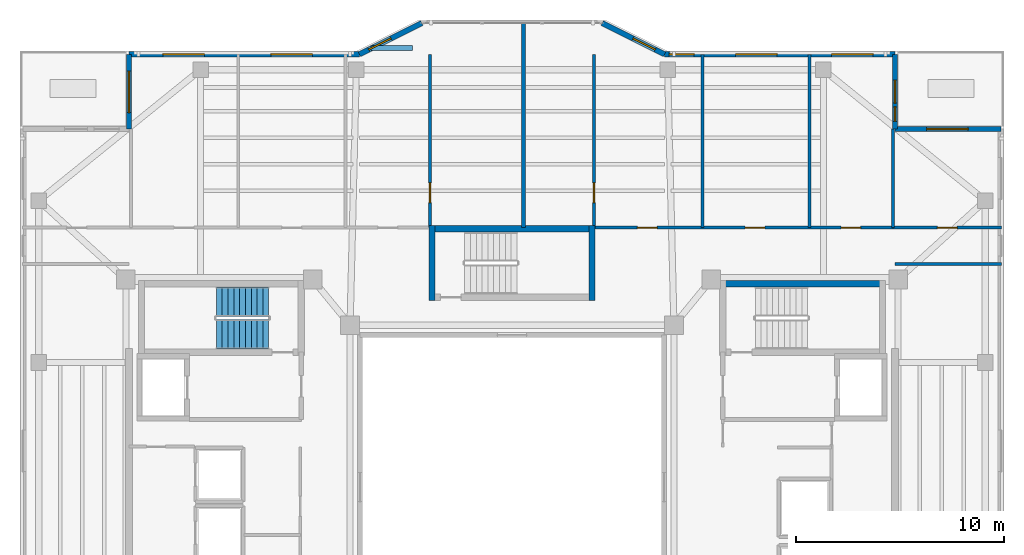
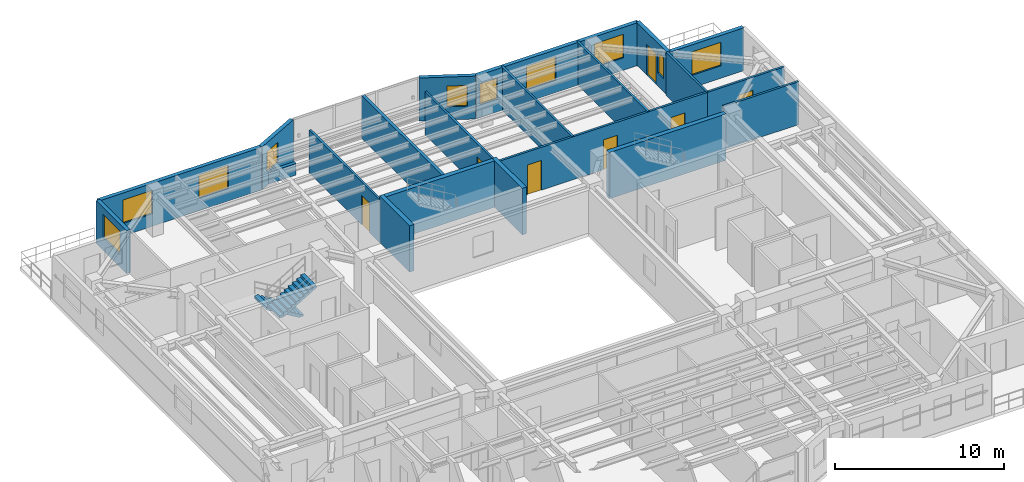
# One storey, part 10 of 15: 21 walls, 10 windows, 7 doors, 2 stair flights, 17 openings, 1 element without a shape of its own.
"""IFC4 building model written with IfcOpenShell, lengths in metres."""

from ifc_helpers import new_model, si_unit, direction, frame, frame_2d, origin, place, context, subcontext, project, spatial, polyline, rectangle, outline, extrude, material, layer, layer_set, type_object, element, fill, aggregate, save


model = new_model("IFC4")

# Units and contexts
model_context = context("Model", 3, precision=1e-05, world=origin(), true_north=direction((0.0, 1.0)))
body_context = subcontext(model_context, "Body", "Model", "MODEL_VIEW")
ifc_project = project(units=[si_unit("LENGTHUNIT", "METRE"), si_unit("AREAUNIT", "SQUARE_METRE"), si_unit("VOLUMEUNIT", "CUBIC_METRE"), si_unit("PLANEANGLEUNIT", "RADIAN"), si_unit("MASSUNIT", "GRAM", prefix="KILO")], contexts=[model_context])

# Site, building, storey
site_placement = place(None, origin())
site = spatial("IfcSite", under=ifc_project, at=site_placement, CompositionType="ELEMENT")
building_placement = place(site_placement, origin())
building = spatial("IfcBuilding", under=site, at=building_placement, Name="Tarnavaz Court Tower", CompositionType="ELEMENT")
storey_placement = place(building_placement, frame((0.0, 0.0, 186.89990234375)))
storey = spatial("IfcBuildingStorey", under=building, at=storey_placement, Name="L50", CompositionType="ELEMENT", Elevation=186.89990234375)

# Walls
ifc_material_1 = material(Name="Concrete C50/60", Category="concrete")
ifc_layer_1 = layer(ifc_material_1, 0.300048828125)
ifc_layer_set_1 = layer_set([ifc_layer_1], Name="Concrete C50/60")
wall_type_1 = type_object("IfcWallType", Name="WL-CORE-300-C50", PredefinedType="SHEAR", material=ifc_layer_set_1)
for number, where, z_axis, x_axis, name in (
    (1, (10.0, 9.7900390625, 0.0), (0.0, 0.0, 1.0), (1.0, 0.0, 0.0), "L50 East Stair Core Wall 005"),
    (2, (-4.0, 12.43994140625, 0.0), (0.0, 0.0, 1.0), (1.0, 0.0, 0.0), "L50 North Stair Core Wall 009"),
):
    element("IfcWall", number, at=place(storey_placement, frame(where, z_axis=z_axis, x_axis=x_axis)), inside=storey, type_object=wall_type_1, Name=name, PredefinedType="SHEAR", context=body_context, shape_type="SweptSolid", body=[
        extrude(rectangle(XDim=8.0, YDim=0.300048828125, at=frame_2d((4.0, 0.0))), origin(), (0.0, 0.0, 1.0), 3.35009765625),
    ])
for number, where, z_axis, x_axis, name in (
    (3, (-3.85009765625, 9.0, 0.0), (0.0, 0.0, 1.0), (0.0, 1.0, 0.0), "L50 North Stair Core Wall 011"),
    (4, (3.85009765625, 9.0, 0.0), (0.0, 0.0, 1.0), (0.0, 1.0, 0.0), "L50 North Stair Core Wall 012"),
):
    element("IfcWall", number, at=place(storey_placement, frame(where, z_axis=z_axis, x_axis=x_axis)), inside=storey, type_object=wall_type_1, Name=name, PredefinedType="SHEAR", context=body_context, shape_type="SweptSolid", body=[
        extrude(rectangle(XDim=3.590087890625, YDim=0.300048828125, at=frame_2d((1.794921875, 0.0))), origin(), (0.0, 0.0, 1.0), 3.35009765625),
    ])

# Wall, opening, window
ifc_material_2 = material(Name="Precast Concrete C40/50", Category="concrete")
ifc_layer_2 = layer(ifc_material_2, 0.260009765625)
ifc_layer_set_2 = layer_set([ifc_layer_2], Name="Precast Concrete C40/50")
wall_type_2 = type_object("IfcWallType", Name="WL-EXT-260", PredefinedType="SOLIDWALL", material=ifc_layer_set_2)
wall_1_placement = place(storey_placement, frame((-18.449951171875, 17.25, 0.0), z_axis=(0.0, 0.0, 1.0), x_axis=(0.0, 1.0, 0.0)))
wall_1 = element("IfcWall", 5, at=wall_1_placement, inside=storey, type_object=wall_type_2, Name="L50 Exterior Terracotta Facade Wall 04", PredefinedType="SOLIDWALL", context=body_context, shape_type="SweptSolid", body=[
    extrude(rectangle(XDim=3.60009765625, YDim=0.260009765625, at=frame_2d((1.800048828125, 0.0))), origin(), (0.0, 0.0, 1.0), 3.10009765625),
])
opening_1_placement = place(wall_1_placement, frame((0.782470703125, 0.0, 0.89990234375)))
opening_1 = element("IfcOpeningElement", 6, at=opening_1_placement, cuts=wall_1, Name="Opening W08", PredefinedType="OPENING", context=body_context, shape_type="SweptSolid", body=[
    extrude(rectangle(XDim=2.0, YDim=1.699951171875, at=frame_2d((1.0, 0.85009765625))), frame((0.0, 0.139892578125, 0.0), z_axis=(0.0, -1.0, 0.0), x_axis=(1.0, 0.0, 0.0)), (0.0, 0.0, 1.0), 0.280029296875),
])
ifc_material_3 = material(Name="Double-Glazed Solar Low-E Glass", Category="glass")
window_type_1 = type_object("IfcWindowType", Name="WN-APT-2000", PartitioningType="DOUBLE_PANEL_VERTICAL", PredefinedType="WINDOW", material=ifc_material_3)
window_1_placement = place(opening_1_placement, origin())
window_1 = element("IfcWindow", 7, at=window_1_placement, inside=storey, type_object=window_type_1, Name="L50 Resident Fitness and Yoga Studio Window", OverallHeight=1.699951171875, OverallWidth=2.0, PartitioningType="SINGLE_PANEL", PredefinedType="WINDOW", context=body_context, shape_type="SweptSolid", body=[
    extrude(rectangle(XDim=2.0, YDim=1.699951171875, at=frame_2d((1.0, 0.85009765625))), frame((0.0, 0.030029296875, 0.0), z_axis=(0.0, -1.0, 0.0), x_axis=(1.0, 0.0, 0.0)), (0.0, 0.0, 1.0), 0.06005859375),
])
fill(opening_1, window_1)

# Wall, openings, windows
wall_2_placement = place(storey_placement, frame((-18.449951171875, 20.85009765625, 0.0), z_axis=(0.0, 0.0, 1.0), x_axis=(1.0, 0.0, 0.0)))
wall_2 = element("IfcWall", 8, at=wall_2_placement, inside=storey, type_object=wall_type_2, Name="L50 Exterior Terracotta Facade Wall 05", PredefinedType="SOLIDWALL", context=body_context, shape_type="SweptSolid", body=[
    extrude(rectangle(XDim=11.099853515625, YDim=0.260009765625, at=frame_2d((5.5498046875, 0.0))), origin(), (0.0, 0.0, 1.0), 3.10009765625),
])
opening_2_placement = place(wall_2_placement, frame((1.636962890625, 0.0, 0.89990234375)))
opening_2 = element("IfcOpeningElement", 9, at=opening_2_placement, cuts=wall_2, Name="Opening W08", PredefinedType="OPENING", context=body_context, shape_type="SweptSolid", body=[
    extrude(rectangle(XDim=2.0, YDim=1.699951171875, at=frame_2d((1.0, 0.85009765625))), frame((0.0, 0.139892578125, 0.0), z_axis=(0.0, -1.0, 0.0), x_axis=(1.0, 0.0, 0.0)), (0.0, 0.0, 1.0), 0.280029296875),
])
opening_3_placement = place(wall_2_placement, frame((6.835205078125, 0.0, 0.89990234375)))
opening_3 = element("IfcOpeningElement", 10, at=opening_3_placement, cuts=wall_2, Name="Opening W08", PredefinedType="OPENING", context=body_context, shape_type="SweptSolid", body=[
    extrude(rectangle(XDim=2.0, YDim=1.699951171875, at=frame_2d((1.0, 0.85009765625))), frame((0.0, 0.139892578125, 0.0), z_axis=(0.0, -1.0, 0.0), x_axis=(1.0, 0.0, 0.0)), (0.0, 0.0, 1.0), 0.280029296875),
])
window_2_placement = place(opening_2_placement, origin())
window_2 = element("IfcWindow", 11, at=window_2_placement, inside=storey, type_object=window_type_1, Name="L50 Resident Fitness and Yoga Studio Window", OverallHeight=1.699951171875, OverallWidth=2.0, PartitioningType="SINGLE_PANEL", PredefinedType="WINDOW", context=body_context, shape_type="SweptSolid", body=[
    extrude(rectangle(XDim=2.0, YDim=1.699951171875, at=frame_2d((1.0, 0.85009765625))), frame((0.0, 0.030029296875, 0.0), z_axis=(0.0, -1.0, 0.0), x_axis=(1.0, 0.0, 0.0)), (0.0, 0.0, 1.0), 0.06005859375),
])
fill(opening_2, window_2)
window_3_placement = place(opening_3_placement, origin())
window_3 = element("IfcWindow", 12, at=window_3_placement, inside=storey, type_object=window_type_1, Name="L50 Children Playroom and Daycare Window", OverallHeight=1.699951171875, OverallWidth=2.0, PartitioningType="SINGLE_PANEL", PredefinedType="WINDOW", context=body_context, shape_type="SweptSolid", body=[
    extrude(rectangle(XDim=2.0, YDim=1.699951171875, at=frame_2d((1.0, 0.85009765625))), frame((0.0, 0.030029296875, 0.0), z_axis=(0.0, -1.0, 0.0), x_axis=(1.0, 0.0, 0.0)), (0.0, 0.0, 1.0), 0.06005859375),
])
fill(opening_3, window_3)

# Wall, opening, window
wall_3_placement = place(storey_placement, frame((-7.35009765625, 20.85009765625, 0.0), z_axis=(0.0, 0.0, 1.0), x_axis=(0.894427191, 0.4472135955, 0.0)))
wall_3 = element("IfcWall", 13, at=wall_3_placement, inside=storey, type_object=wall_type_2, Name="L50 Exterior Terracotta Facade Wall 06", PredefinedType="SOLIDWALL", context=body_context, shape_type="SweptSolid", body=[
    extrude(rectangle(XDim=3.35400390625, YDim=0.260009765625, at=frame_2d((1.677001953125, 0.0))), origin(), (0.0, 0.0, 1.0), 3.10009765625),
])
opening_4_placement = place(wall_3_placement, frame((0.501220703125, 0.0, 0.949951171875)))
opening_4 = element("IfcOpeningElement", 14, at=opening_4_placement, cuts=wall_3, Name="Opening W05", PredefinedType="OPENING", context=body_context, shape_type="SweptSolid", body=[
    extrude(rectangle(XDim=1.199951171875, YDim=1.5, at=frame_2d((0.60009765625, 0.75))), frame((0.0, 0.139892578125, 0.0), z_axis=(0.0, -1.0, 0.0), x_axis=(1.0, 0.0, 0.0)), (0.0, 0.0, 1.0), 0.280029296875),
])
window_type_2 = type_object("IfcWindowType", Name="WN-APT-1200", PartitioningType="SINGLE_PANEL", PredefinedType="WINDOW", material=ifc_material_3)
window_4_placement = place(opening_4_placement, origin())
window_4 = element("IfcWindow", 15, at=window_4_placement, inside=storey, type_object=window_type_2, Name="L50 Shared Community Tea Pantry Window", OverallHeight=1.5, OverallWidth=1.199951171875, PartitioningType="SINGLE_PANEL", PredefinedType="WINDOW", context=body_context, shape_type="SweptSolid", body=[
    extrude(rectangle(XDim=1.199951171875, YDim=1.5, at=frame_2d((0.60009765625, 0.75))), frame((0.0, 0.030029296875, 0.0), z_axis=(0.0, -1.0, 0.0), x_axis=(1.0, 0.0, 0.0)), (0.0, 0.0, 1.0), 0.06005859375),
])
fill(opening_4, window_4)

wall_4_placement = place(storey_placement, frame((4.35009765625, 22.35009765625, 0.0), z_axis=(0.0, 0.0, 1.0), x_axis=(0.894427191, -0.4472135955, 0.0)))
wall_4 = element("IfcWall", 16, at=wall_4_placement, inside=storey, type_object=wall_type_2, Name="L50 Exterior Terracotta Facade Wall 08", PredefinedType="SOLIDWALL", context=body_context, shape_type="SweptSolid", body=[
    extrude(rectangle(XDim=3.35400390625, YDim=0.260009765625, at=frame_2d((1.677001953125, 0.0))), origin(), (0.0, 0.0, 1.0), 3.10009765625),
])
opening_5_placement = place(wall_4_placement, frame((1.65283203125, 0.0, 0.949951171875)))
opening_5 = element("IfcOpeningElement", 17, at=opening_5_placement, cuts=wall_4, Name="Opening W05", PredefinedType="OPENING", context=body_context, shape_type="SweptSolid", body=[
    extrude(rectangle(XDim=1.199951171875, YDim=1.5, at=frame_2d((0.60009765625, 0.75))), frame((0.0, 0.139892578125, 0.0), z_axis=(0.0, -1.0, 0.0), x_axis=(1.0, 0.0, 0.0)), (0.0, 0.0, 1.0), 0.280029296875),
])
window_5_placement = place(opening_5_placement, origin())
window_5 = element("IfcWindow", 18, at=window_5_placement, inside=storey, type_object=window_type_2, Name="L50 Resident Co-Working Study Room Window", OverallHeight=1.5, OverallWidth=1.199951171875, PartitioningType="SINGLE_PANEL", PredefinedType="WINDOW", context=body_context, shape_type="SweptSolid", body=[
    extrude(rectangle(XDim=1.199951171875, YDim=1.5, at=frame_2d((0.60009765625, 0.75))), frame((0.0, 0.030029296875, 0.0), z_axis=(0.0, -1.0, 0.0), x_axis=(1.0, 0.0, 0.0)), (0.0, 0.0, 1.0), 0.06005859375),
])
fill(opening_5, window_5)

# Wall, openings, windows
wall_5_placement = place(storey_placement, frame((7.35009765625, 20.85009765625, 0.0), z_axis=(0.0, 0.0, 1.0), x_axis=(1.0, 0.0, 0.0)))
wall_5 = element("IfcWall", 19, at=wall_5_placement, inside=storey, type_object=wall_type_2, Name="L50 Exterior Terracotta Facade Wall 09", PredefinedType="SOLIDWALL", context=body_context, shape_type="SweptSolid", body=[
    extrude(rectangle(XDim=11.099853515625, YDim=0.260009765625, at=frame_2d((5.5498046875, 0.0))), origin(), (0.0, 0.0, 1.0), 3.10009765625),
])
opening_6_placement = place(wall_5_placement, frame((0.223388671875, 0.0, 0.949951171875)))
opening_6 = element("IfcOpeningElement", 20, at=opening_6_placement, cuts=wall_5, Name="Opening W05", PredefinedType="OPENING", context=body_context, shape_type="SweptSolid", body=[
    extrude(rectangle(XDim=1.199951171875, YDim=1.5, at=frame_2d((0.60009765625, 0.75))), frame((0.0, 0.139892578125, 0.0), z_axis=(0.0, -1.0, 0.0), x_axis=(1.0, 0.0, 0.0)), (0.0, 0.0, 1.0), 0.280029296875),
])
opening_7_placement = place(wall_5_placement, frame((3.419921875, 0.0, 0.89990234375)))
opening_7 = element("IfcOpeningElement", 21, at=opening_7_placement, cuts=wall_5, Name="Opening W08", PredefinedType="OPENING", context=body_context, shape_type="SweptSolid", body=[
    extrude(rectangle(XDim=2.0, YDim=1.699951171875, at=frame_2d((1.0, 0.85009765625))), frame((0.0, 0.139892578125, 0.0), z_axis=(0.0, -1.0, 0.0), x_axis=(1.0, 0.0, 0.0)), (0.0, 0.0, 1.0), 0.280029296875),
])
opening_8_placement = place(wall_5_placement, frame((8.040771484375, 0.0, 0.89990234375)))
opening_8 = element("IfcOpeningElement", 22, at=opening_8_placement, cuts=wall_5, Name="Opening W08", PredefinedType="OPENING", context=body_context, shape_type="SweptSolid", body=[
    extrude(rectangle(XDim=2.0, YDim=1.699951171875, at=frame_2d((1.0, 0.85009765625))), frame((0.0, 0.139892578125, 0.0), z_axis=(0.0, -1.0, 0.0), x_axis=(1.0, 0.0, 0.0)), (0.0, 0.0, 1.0), 0.280029296875),
])
window_6_placement = place(opening_6_placement, origin())
window_6 = element("IfcWindow", 23, at=window_6_placement, inside=storey, type_object=window_type_2, Name="L50 Resident Co-Working Study Room Window", OverallHeight=1.5, OverallWidth=1.199951171875, PartitioningType="SINGLE_PANEL", PredefinedType="WINDOW", context=body_context, shape_type="SweptSolid", body=[
    extrude(rectangle(XDim=1.199951171875, YDim=1.5, at=frame_2d((0.60009765625, 0.75))), frame((0.0, 0.030029296875, 0.0), z_axis=(0.0, -1.0, 0.0), x_axis=(1.0, 0.0, 0.0)), (0.0, 0.0, 1.0), 0.06005859375),
])
fill(opening_6, window_6)
window_7_placement = place(opening_7_placement, origin())
window_7 = element("IfcWindow", 24, at=window_7_placement, inside=storey, type_object=window_type_1, Name="L50 Quiet Reading Library Room Window", OverallHeight=1.699951171875, OverallWidth=2.0, PartitioningType="SINGLE_PANEL", PredefinedType="WINDOW", context=body_context, shape_type="SweptSolid", body=[
    extrude(rectangle(XDim=2.0, YDim=1.699951171875, at=frame_2d((1.0, 0.85009765625))), frame((0.0, 0.030029296875, 0.0), z_axis=(0.0, -1.0, 0.0), x_axis=(1.0, 0.0, 0.0)), (0.0, 0.0, 1.0), 0.06005859375),
])
fill(opening_7, window_7)
window_8_placement = place(opening_8_placement, origin())
window_8 = element("IfcWindow", 25, at=window_8_placement, inside=storey, type_object=window_type_1, Name="L50 Resident Focus Seminar Room Window", OverallHeight=1.699951171875, OverallWidth=2.0, PartitioningType="SINGLE_PANEL", PredefinedType="WINDOW", context=body_context, shape_type="SweptSolid", body=[
    extrude(rectangle(XDim=2.0, YDim=1.699951171875, at=frame_2d((1.0, 0.85009765625))), frame((0.0, 0.030029296875, 0.0), z_axis=(0.0, -1.0, 0.0), x_axis=(1.0, 0.0, 0.0)), (0.0, 0.0, 1.0), 0.06005859375),
])
fill(opening_8, window_8)

# Wall, openings, door, window
wall_6_placement = place(storey_placement, frame((18.449951171875, 20.85009765625, 0.0), z_axis=(0.0, 0.0, 1.0), x_axis=(0.0, -1.0, 0.0)))
wall_6 = element("IfcWall", 26, at=wall_6_placement, inside=storey, type_object=wall_type_2, Name="L50 Exterior Terracotta Facade Wall 10", PredefinedType="SOLIDWALL", context=body_context, shape_type="SweptSolid", body=[
    extrude(rectangle(XDim=3.60009765625, YDim=0.260009765625, at=frame_2d((1.800048828125, 0.0))), origin(), (0.0, 0.0, 1.0), 3.10009765625),
])
opening_9_placement = place(wall_6_placement, frame((1.25, 0.0, 0.0)))
opening_9 = element("IfcOpeningElement", 27, at=opening_9_placement, cuts=wall_6, Name="Opening TD1", PredefinedType="OPENING", context=body_context, shape_type="SweptSolid", body=[
    extrude(rectangle(XDim=1.10009765625, YDim=2.199951171875, at=frame_2d((0.550048828125, 1.10009765625))), frame((0.0, 0.139892578125, 0.0), z_axis=(0.0, -1.0, 0.0), x_axis=(1.0, 0.0, 0.0)), (0.0, 0.0, 1.0), 0.280029296875),
])
opening_10_placement = place(wall_6_placement, frame((2.53759765625, 0.0, 0.949951171875)))
opening_10 = element("IfcOpeningElement", 28, at=opening_10_placement, cuts=wall_6, Name="Opening W16", PredefinedType="OPENING", context=body_context, shape_type="SweptSolid", body=[
    extrude(rectangle(XDim=0.699951171875, YDim=1.5, at=frame_2d((0.35009765625, 0.75))), frame((0.0, 0.139892578125, 0.0), z_axis=(0.0, -1.0, 0.0), x_axis=(1.0, 0.0, 0.0)), (0.0, 0.0, 1.0), 0.280029296875),
])
ifc_material_4 = material(Name="Thermally Broken Aluminium and Laminated Glass", Category="aluminium")
door_type_1 = type_object("IfcDoorType", Name="DR-TERR-1100", OperationType="NOTDEFINED", PredefinedType="DOOR", material=ifc_material_4)
door_1_placement = place(opening_9_placement, origin())
door_1 = element("IfcDoor", 29, at=door_1_placement, inside=storey, type_object=door_type_1, Name="L50 Sky Terrace Access Door 1", OperationType="SINGLE_SWING_LEFT", OverallHeight=2.199951171875, OverallWidth=1.10009765625, PredefinedType="DOOR", context=body_context, shape_type="SweptSolid", body=[
    extrude(rectangle(XDim=1.10009765625, YDim=2.199951171875, at=frame_2d((0.550048828125, 1.10009765625))), frame((0.0, 0.02490234375, 0.0), z_axis=(0.0, -1.0, 0.0), x_axis=(1.0, 0.0, 0.0)), (0.0, 0.0, 1.0), 0.050048828125),
])
fill(opening_9, door_1)
window_type_3 = type_object("IfcWindowType", Name="WN-APT-700", PartitioningType="SINGLE_PANEL", PredefinedType="WINDOW", material=ifc_material_3)
window_9_placement = place(opening_10_placement, origin())
window_9 = element("IfcWindow", 30, at=window_9_placement, inside=storey, type_object=window_type_3, Name="L50 Resident Focus Seminar Room Window", OverallHeight=1.5, OverallWidth=0.699951171875, PartitioningType="SINGLE_PANEL", PredefinedType="WINDOW", context=body_context, shape_type="SweptSolid", body=[
    extrude(rectangle(XDim=0.699951171875, YDim=1.5, at=frame_2d((0.35009765625, 0.75))), frame((0.0, 0.030029296875, 0.0), z_axis=(0.0, -1.0, 0.0), x_axis=(1.0, 0.0, 0.0)), (0.0, 0.0, 1.0), 0.06005859375),
])
fill(opening_10, window_9)

# Wall, opening, window
wall_7_placement = place(storey_placement, frame((18.449951171875, 17.25, 0.0), z_axis=(0.0, 0.0, 1.0), x_axis=(1.0, 0.0, 0.0)))
wall_7 = element("IfcWall", 31, at=wall_7_placement, inside=storey, type_object=wall_type_2, Name="L50 Exterior Terracotta Facade Wall 11", PredefinedType="SOLIDWALL", context=body_context, shape_type="SweptSolid", body=[
    extrude(rectangle(XDim=5.10009765625, YDim=0.260009765625, at=frame_2d((2.550048828125, 0.0))), origin(), (0.0, 0.0, 1.0), 3.10009765625),
])
opening_11_placement = place(wall_7_placement, frame((1.52490234375, 0.0, 0.89990234375)))
opening_11 = element("IfcOpeningElement", 32, at=opening_11_placement, cuts=wall_7, Name="Opening W08", PredefinedType="OPENING", context=body_context, shape_type="SweptSolid", body=[
    extrude(rectangle(XDim=2.0, YDim=1.699951171875, at=frame_2d((1.0, 0.85009765625))), frame((0.0, 0.139892578125, 0.0), z_axis=(0.0, -1.0, 0.0), x_axis=(1.0, 0.0, 0.0)), (0.0, 0.0, 1.0), 0.280029296875),
])
window_10_placement = place(opening_11_placement, origin())
window_10 = element("IfcWindow", 33, at=window_10_placement, inside=storey, type_object=window_type_1, Name="L50 North-East Corner Sunroom Study Window", OverallHeight=1.699951171875, OverallWidth=2.0, PartitioningType="SINGLE_PANEL", PredefinedType="WINDOW", context=body_context, shape_type="SweptSolid", body=[
    extrude(rectangle(XDim=2.0, YDim=1.699951171875, at=frame_2d((1.0, 0.85009765625))), frame((0.0, 0.030029296875, 0.0), z_axis=(0.0, -1.0, 0.0), x_axis=(1.0, 0.0, 0.0)), (0.0, 0.0, 1.0), 0.06005859375),
])
fill(opening_11, window_10)

# Wall, openings, doors
ifc_material_5 = material(Name="Gypsum Fire-Board on Acoustic Metal Stud", Category="masonry")
ifc_layer_3 = layer(ifc_material_5, 0.14990234375)
ifc_layer_set_3 = layer_set([ifc_layer_3], Name="Gypsum Fire-Board on Acoustic Metal Stud")
wall_type_3 = type_object("IfcWallType", Name="WL-FIRE-150", PredefinedType="PARTITIONING", material=ifc_layer_set_3)
wall_8_placement = place(storey_placement, frame((3.85009765625, 12.5, 0.0), z_axis=(0.0, 0.0, 1.0), x_axis=(1.0, 0.0, 0.0)))
wall_8 = element("IfcWall", 34, at=wall_8_placement, inside=storey, type_object=wall_type_3, Name="L50 NE Wing Corridor Wall 057", PredefinedType="PARTITIONING", context=body_context, shape_type="SweptSolid", body=[
    extrude(rectangle(XDim=14.5, YDim=0.14990234375, at=frame_2d((7.25, 0.0))), origin(), (0.0, 0.0, 1.0), 3.10009765625),
])
opening_12_placement = place(wall_8_placement, frame((2.18603515625, 0.0, 0.0)))
opening_12 = element("IfcOpeningElement", 35, at=opening_12_placement, cuts=wall_8, Name="Opening D13", PredefinedType="OPENING", context=body_context, shape_type="SweptSolid", body=[
    extrude(rectangle(XDim=0.949951171875, YDim=2.14990234375, at=frame_2d((0.47509765625, 1.074951171875))), frame((0.0, 0.0849609375, 0.0), z_axis=(0.0, -1.0, 0.0), x_axis=(1.0, 0.0, 0.0)), (0.0, 0.0, 1.0), 0.169921875),
])
opening_13_placement = place(wall_8_placement, frame((7.37890625, 0.0, 0.0)))
opening_13 = element("IfcOpeningElement", 36, at=opening_13_placement, cuts=wall_8, Name="Opening D13", PredefinedType="OPENING", context=body_context, shape_type="SweptSolid", body=[
    extrude(rectangle(XDim=0.949951171875, YDim=2.14990234375, at=frame_2d((0.47509765625, 1.074951171875))), frame((0.0, 0.0849609375, 0.0), z_axis=(0.0, -1.0, 0.0), x_axis=(1.0, 0.0, 0.0)), (0.0, 0.0, 1.0), 0.169921875),
])
opening_14_placement = place(wall_8_placement, frame((11.998046875, 0.0, 0.0)))
opening_14 = element("IfcOpeningElement", 37, at=opening_14_placement, cuts=wall_8, Name="Opening D13", PredefinedType="OPENING", context=body_context, shape_type="SweptSolid", body=[
    extrude(rectangle(XDim=0.949951171875, YDim=2.14990234375, at=frame_2d((0.47509765625, 1.074951171875))), frame((0.0, 0.0849609375, 0.0), z_axis=(0.0, -1.0, 0.0), x_axis=(1.0, 0.0, 0.0)), (0.0, 0.0, 1.0), 0.169921875),
])
ifc_material_6 = material(Name="Engineered Oak Timber", Category="wood")
door_type_2 = type_object("IfcDoorType", Name="DR-INT-950", OperationType="NOTDEFINED", PredefinedType="DOOR", material=ifc_material_6)
door_2_placement = place(opening_12_placement, origin())
door_2 = element("IfcDoor", 38, at=door_2_placement, inside=storey, type_object=door_type_2, Name="L50 Resident Co-Working Study Room Door", OperationType="SINGLE_SWING_RIGHT", OverallHeight=2.14990234375, OverallWidth=0.949951171875, PredefinedType="DOOR", context=body_context, shape_type="SweptSolid", body=[
    extrude(rectangle(XDim=0.949951171875, YDim=2.14990234375, at=frame_2d((0.47509765625, 1.074951171875))), frame((0.0, 0.02490234375, 0.0), z_axis=(0.0, -1.0, 0.0), x_axis=(1.0, 0.0, 0.0)), (0.0, 0.0, 1.0), 0.050048828125),
])
fill(opening_12, door_2)
door_3_placement = place(opening_13_placement, origin())
door_3 = element("IfcDoor", 39, at=door_3_placement, inside=storey, type_object=door_type_2, Name="L50 Quiet Reading Library Room Door", OperationType="SINGLE_SWING_LEFT", OverallHeight=2.14990234375, OverallWidth=0.949951171875, PredefinedType="DOOR", context=body_context, shape_type="SweptSolid", body=[
    extrude(rectangle(XDim=0.949951171875, YDim=2.14990234375, at=frame_2d((0.47509765625, 1.074951171875))), frame((0.0, 0.02490234375, 0.0), z_axis=(0.0, -1.0, 0.0), x_axis=(1.0, 0.0, 0.0)), (0.0, 0.0, 1.0), 0.050048828125),
])
fill(opening_13, door_3)
door_4_placement = place(opening_14_placement, origin())
door_4 = element("IfcDoor", 40, at=door_4_placement, inside=storey, type_object=door_type_2, Name="L50 Resident Focus Seminar Room Door", OperationType="SINGLE_SWING_RIGHT", OverallHeight=2.14990234375, OverallWidth=0.949951171875, PredefinedType="DOOR", context=body_context, shape_type="SweptSolid", body=[
    extrude(rectangle(XDim=0.949951171875, YDim=2.14990234375, at=frame_2d((0.47509765625, 1.074951171875))), frame((0.0, 0.02490234375, 0.0), z_axis=(0.0, -1.0, 0.0), x_axis=(1.0, 0.0, 0.0)), (0.0, 0.0, 1.0), 0.050048828125),
])
fill(opening_14, door_4)

# Wall
wall_9_placement = place(storey_placement, frame((18.449951171875, 10.75, 0.0), z_axis=(0.0, 0.0, 1.0), x_axis=(1.0, 0.0, 0.0)))
element("IfcWall", 41, at=wall_9_placement, inside=storey, type_object=wall_type_3, Name="L50 Interior Partition 094", PredefinedType="PARTITIONING", context=body_context, shape_type="SweptSolid", body=[
    extrude(rectangle(XDim=5.130126953125, YDim=0.14990234375, at=frame_2d((2.56494140625, 0.0))), origin(), (0.0, 0.0, 1.0), 3.10009765625),
])

# Wall, opening, door
wall_10_placement = place(storey_placement, frame((18.35009765625, 12.5, 0.0), z_axis=(0.0, 0.0, 1.0), x_axis=(1.0, 0.0, 0.0)))
wall_10 = element("IfcWall", 42, at=wall_10_placement, inside=storey, type_object=wall_type_3, Name="L50 Interior Partition 100", PredefinedType="PARTITIONING", context=body_context, shape_type="SweptSolid", body=[
    extrude(rectangle(XDim=5.22998046875, YDim=0.14990234375, at=frame_2d((2.614990234375, 0.0))), origin(), (0.0, 0.0, 1.0), 3.10009765625),
])
opening_15_placement = place(wall_10_placement, frame((2.139892578125, 0.0, 0.0)))
opening_15 = element("IfcOpeningElement", 43, at=opening_15_placement, cuts=wall_10, Name="Opening D13", PredefinedType="OPENING", context=body_context, shape_type="SweptSolid", body=[
    extrude(rectangle(XDim=0.949951171875, YDim=2.14990234375, at=frame_2d((0.47509765625, 1.074951171875))), frame((0.0, 0.0849609375, 0.0), z_axis=(0.0, -1.0, 0.0), x_axis=(1.0, 0.0, 0.0)), (0.0, 0.0, 1.0), 0.169921875),
])
door_5_placement = place(opening_15_placement, origin())
door_5 = element("IfcDoor", 44, at=door_5_placement, inside=storey, type_object=door_type_2, Name="L50 NE Sunroom Door", OperationType="SINGLE_SWING_LEFT", OverallHeight=2.14990234375, OverallWidth=0.949951171875, PredefinedType="DOOR", context=body_context, shape_type="SweptSolid", body=[
    extrude(rectangle(XDim=0.949951171875, YDim=2.14990234375, at=frame_2d((0.47509765625, 1.074951171875))), frame((0.0, 0.02490234375, 0.0), z_axis=(0.0, -1.0, 0.0), x_axis=(1.0, 0.0, 0.0)), (0.0, 0.0, 1.0), 0.050048828125),
])
fill(opening_15, door_5)

# Walls
ifc_material_7 = material(Name="Autoclaved Aerated Concrete Blockwork", Category="masonry")
ifc_layer_4 = layer(ifc_material_7, 0.199951171875)
ifc_layer_set_4 = layer_set([ifc_layer_4], Name="Autoclaved Aerated Concrete Blockwork")
wall_type_4 = type_object("IfcWallType", Name="WL-FIRE-200", PredefinedType="SOLIDWALL", material=ifc_layer_set_4)
wall_11_placement = place(storey_placement, frame((0.550048828125, 12.5, 0.0), z_axis=(0.0, 0.0, 1.0), x_axis=(0.0, 1.0, 0.0)))
element("IfcWall", 45, at=wall_11_placement, inside=storey, type_object=wall_type_4, Name="L50 North Center Party Wall 060", PredefinedType="SOLIDWALL", context=body_context, shape_type="SweptSolid", body=[
    extrude(rectangle(XDim=9.8798828125, YDim=0.199951171875, at=frame_2d((4.93994140625, 0.0))), origin(), (0.0, 0.0, 1.0), 3.10009765625),
])
ifc_layer_5 = layer(ifc_material_2, 0.219970703125)
ifc_layer_set_5 = layer_set([ifc_layer_5], Name="Precast Concrete C40/50")
wall_type_5 = type_object("IfcWallType", Name="WL-PARAPET-220", PredefinedType="PARAPET", material=ifc_layer_set_5)
wall_12_placement = place(storey_placement, frame((-6.800048828125, 21.14990234375, 0.0), z_axis=(0.0, 0.0, 1.0), x_axis=(1.0, 0.0, 0.0)))
element("IfcWall", 46, at=wall_12_placement, inside=storey, type_object=wall_type_5, Name="L50 North Prow Terracotta Parapet Upstand", PredefinedType="PARAPET", context=body_context, shape_type="SweptSolid", body=[
    extrude(rectangle(XDim=2.0, YDim=0.219970703125, at=frame_2d((1.0, 0.0))), origin(), (0.0, 0.0, 1.0), 0.85009765625),
])

# Wall, opening, door
ifc_material_8 = material(Name="Gypsum Plasterboard Acoustic Partition", Category="masonry")
ifc_layer_6 = layer(ifc_material_8, 0.139892578125)
ifc_layer_set_6 = layer_set([ifc_layer_6], Name="Gypsum Plasterboard Acoustic Partition")
wall_type_6 = type_object("IfcWallType", Name="WL-PART-150", PredefinedType="PARTITIONING", material=ifc_layer_set_6)
wall_13_placement = place(storey_placement, frame((-3.949951171875, 12.5, 0.0), z_axis=(0.0, 0.0, 1.0), x_axis=(0.0, 1.0, 0.0)))
wall_13 = element("IfcWall", 47, at=wall_13_placement, inside=storey, type_object=wall_type_6, Name="L50 Interior Partition 061", PredefinedType="PARTITIONING", context=body_context, shape_type="SweptSolid", body=[
    extrude(rectangle(XDim=8.35009765625, YDim=0.139892578125, at=frame_2d((4.175048828125, 0.0))), origin(), (0.0, 0.0, 1.0), 3.10009765625),
])
opening_16_placement = place(wall_13_placement, frame((1.199951171875, 0.0, 0.0)))
opening_16 = element("IfcOpeningElement", 48, at=opening_16_placement, cuts=wall_13, Name="Opening D13", PredefinedType="OPENING", context=body_context, shape_type="SweptSolid", body=[
    extrude(rectangle(XDim=0.949951171875, YDim=2.14990234375, at=frame_2d((0.47509765625, 1.074951171875))), frame((0.0, 0.079833984375, 0.0), z_axis=(0.0, -1.0, 0.0), x_axis=(1.0, 0.0, 0.0)), (0.0, 0.0, 1.0), 0.159912109375),
])
door_6_placement = place(opening_16_placement, origin())
door_6 = element("IfcDoor", 49, at=door_6_placement, inside=storey, type_object=door_type_2, Name="L50 NW Iwan Study Door", OperationType="SINGLE_SWING_LEFT", OverallHeight=2.14990234375, OverallWidth=0.949951171875, PredefinedType="DOOR", context=body_context, shape_type="SweptSolid", body=[
    extrude(rectangle(XDim=0.949951171875, YDim=2.14990234375, at=frame_2d((0.47509765625, 1.074951171875))), frame((0.0, 0.02490234375, 0.0), z_axis=(0.0, -1.0, 0.0), x_axis=(1.0, 0.0, 0.0)), (0.0, 0.0, 1.0), 0.050048828125),
])
fill(opening_16, door_6)

wall_14_placement = place(storey_placement, frame((3.949951171875, 12.5, 0.0), z_axis=(0.0, 0.0, 1.0), x_axis=(0.0, 1.0, 0.0)))
wall_14 = element("IfcWall", 50, at=wall_14_placement, inside=storey, type_object=wall_type_6, Name="L50 Interior Partition 064", PredefinedType="PARTITIONING", context=body_context, shape_type="SweptSolid", body=[
    extrude(rectangle(XDim=8.35009765625, YDim=0.139892578125, at=frame_2d((4.175048828125, 0.0))), origin(), (0.0, 0.0, 1.0), 3.10009765625),
])
opening_17_placement = place(wall_14_placement, frame((1.199951171875, 0.0, 0.0)))
opening_17 = element("IfcOpeningElement", 51, at=opening_17_placement, cuts=wall_14, Name="Opening D13", PredefinedType="OPENING", context=body_context, shape_type="SweptSolid", body=[
    extrude(rectangle(XDim=0.949951171875, YDim=2.14990234375, at=frame_2d((0.47509765625, 1.074951171875))), frame((0.0, 0.079833984375, 0.0), z_axis=(0.0, -1.0, 0.0), x_axis=(1.0, 0.0, 0.0)), (0.0, 0.0, 1.0), 0.159912109375),
])
door_7_placement = place(opening_17_placement, origin())
door_7 = element("IfcDoor", 52, at=door_7_placement, inside=storey, type_object=door_type_2, Name="L50 NE Iwan Reading Door", OperationType="SINGLE_SWING_LEFT", OverallHeight=2.14990234375, OverallWidth=0.949951171875, PredefinedType="DOOR", context=body_context, shape_type="SweptSolid", body=[
    extrude(rectangle(XDim=0.949951171875, YDim=2.14990234375, at=frame_2d((0.47509765625, 1.074951171875))), frame((0.0, 0.02490234375, 0.0), z_axis=(0.0, -1.0, 0.0), x_axis=(1.0, 0.0, 0.0)), (0.0, 0.0, 1.0), 0.050048828125),
])
fill(opening_17, door_7)

# Walls
for number, where, z_axis, x_axis, name in (
    (53, (9.172119140625, 12.5, 0.0), (0.0, 0.0, 1.0), (0.0, 1.0, 0.0), "L50 Interior Partition 065"),
    (54, (14.3349609375, 12.5, 0.0), (0.0, 0.0, 1.0), (0.0, 1.0, 0.0), "L50 Interior Partition 066"),
):
    element("IfcWall", number, at=place(storey_placement, frame(where, z_axis=z_axis, x_axis=x_axis)), inside=storey, type_object=wall_type_6, Name=name, PredefinedType="PARTITIONING", context=body_context, shape_type="SweptSolid", body=[
        extrude(rectangle(XDim=8.35009765625, YDim=0.139892578125, at=frame_2d((4.175048828125, 0.0))), origin(), (0.0, 0.0, 1.0), 3.10009765625),
    ])
wall_15_placement = place(storey_placement, frame((18.35009765625, 12.5, 0.0), z_axis=(0.0, 0.0, 1.0), x_axis=(0.0, 1.0, 0.0)))
element("IfcWall", 55, at=wall_15_placement, inside=storey, type_object=wall_type_6, Name="L50 Interior Partition 098", PredefinedType="PARTITIONING", context=body_context, shape_type="SweptSolid", body=[
    extrude(rectangle(XDim=4.75, YDim=0.139892578125, at=frame_2d((2.375, 0.0))), origin(), (0.0, 0.0, 1.0), 3.10009765625),
])

# Stair, stair flights
ifc_material_9 = material(Name="Concrete C40/50", Category="concrete")
stair_type = type_object("IfcStairType", Name="ST-TWR-20R", PredefinedType="HALF_TURN_STAIR", material=ifc_material_9)
stair_placement = place(storey_placement, origin())
stair = element("IfcStair", 56, at=stair_placement, inside=storey, type_object=stair_type, Name="L50 West Core Pressurized Exit Stair ST-W1", PredefinedType="HALF_TURN_STAIR")
stair_flight_type = type_object("IfcStairFlightType", Name="SFL-RC-20R", PredefinedType="STRAIGHT", material=ifc_material_9)
stair_flight_1_placement = place(storey_placement, frame((-11.719970703125, 8.929931640625, 0.0), z_axis=(0.0, 0.0, 1.0), x_axis=(-1.0, 0.0, 0.0)))
stair_flight_1 = element("IfcStairFlight", 57, at=stair_flight_1_placement, type_object=stair_flight_type, Name="ST-W1 flight 1", NumberOfRisers=10, NumberOfTreads=9, PredefinedType="STRAIGHT", RiserHeight=0.1675, TreadLength=0.28, context=body_context, shape_type="SweptSolid", body=[
    extrude(outline(polyline([(0.0, 0.0), (0.0, 0.16748046875), (0.280029296875, 0.16748046875), (0.280029296875, 0.3349609375), (0.56005859375, 0.3349609375), (0.56005859375, 0.50244140625), (0.840087890625, 0.50244140625), (0.840087890625, 0.669921875), (1.1201171875, 0.669921875), (1.1201171875, 0.83740234375), (1.39990234375, 0.83740234375), (1.39990234375, 1.0048828125), (1.679931640625, 1.0048828125), (1.679931640625, 1.172607421875), (1.9599609375, 1.172607421875), (1.9599609375, 1.340087890625), (2.239990234375, 1.340087890625), (2.239990234375, 1.507568359375), (2.52001953125, 1.507568359375), (2.52001953125, 1.675048828125), (2.52001953125, 1.332763671875), (0.2919921875, 0.0), (0.0, 0.0)])), frame((0.0, 0.7099609375, 0.0), z_axis=(0.0, -1.0, 0.0), x_axis=(1.0, 0.0, 0.0)), (0.0, 0.0, 1.0), 1.419921875),
])
stair_flight_2_placement = place(storey_placement, frame((-14.239990234375, 7.360107421875, 1.675048828125), z_axis=(0.0, 0.0, 1.0), x_axis=(1.0, 0.0, 0.0)))
stair_flight_2 = element("IfcStairFlight", 58, at=stair_flight_2_placement, type_object=stair_flight_type, Name="ST-W1 flight 2", NumberOfRisers=10, NumberOfTreads=9, PredefinedType="STRAIGHT", RiserHeight=0.1675, TreadLength=0.28, context=body_context, shape_type="SweptSolid", body=[
    extrude(outline(polyline([(0.0, 0.0), (0.0, 0.16748046875), (0.280029296875, 0.16748046875), (0.280029296875, 0.3349609375), (0.56005859375, 0.3349609375), (0.56005859375, 0.50244140625), (0.840087890625, 0.50244140625), (0.840087890625, 0.669921875), (1.1201171875, 0.669921875), (1.1201171875, 0.83740234375), (1.39990234375, 0.83740234375), (1.39990234375, 1.0048828125), (1.679931640625, 1.0048828125), (1.679931640625, 1.172607421875), (1.9599609375, 1.172607421875), (1.9599609375, 1.340087890625), (2.239990234375, 1.340087890625), (2.239990234375, 1.507568359375), (2.52001953125, 1.507568359375), (2.52001953125, 1.675048828125), (2.52001953125, 1.332763671875), (0.2919921875, 0.0), (0.0, 0.0)])), frame((0.0, 0.7099609375, 0.0), z_axis=(0.0, -1.0, 0.0), x_axis=(1.0, 0.0, 0.0)), (0.0, 0.0, 1.0), 1.419921875),
])
aggregate(stair, [stair_flight_1, stair_flight_2])

save(model, "model.ifc")
